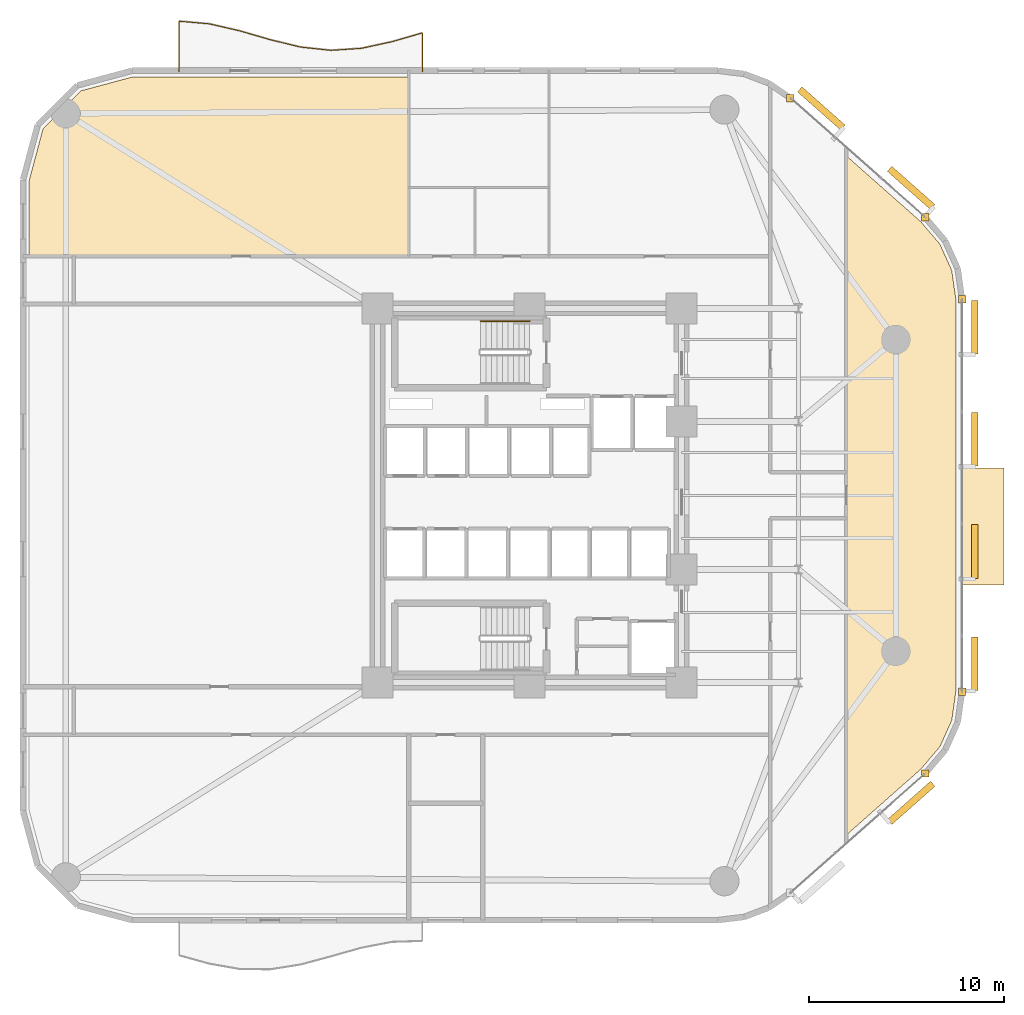
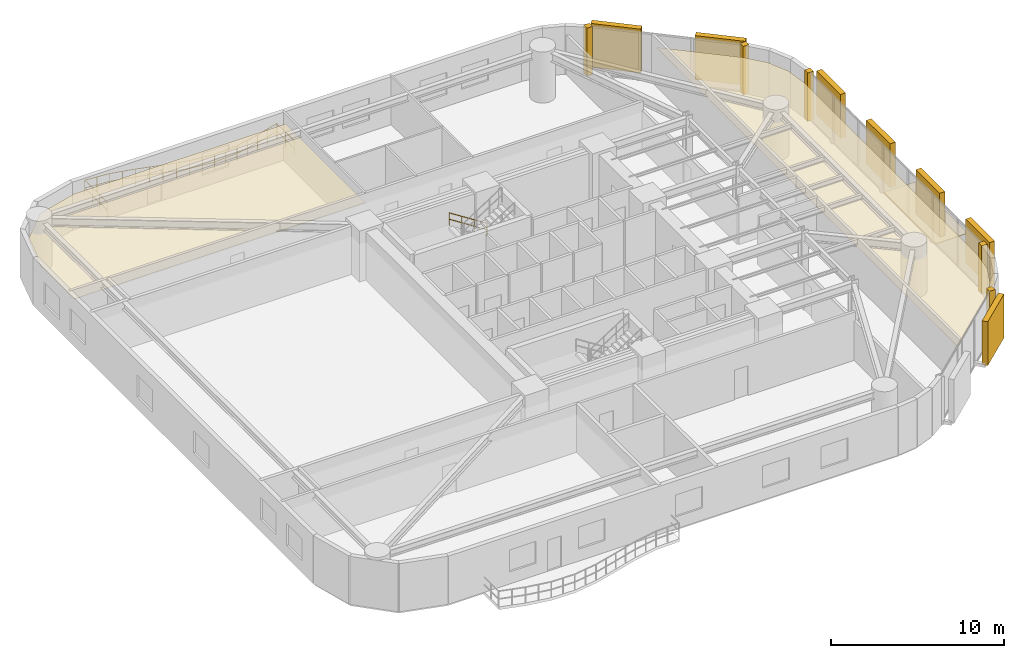
# One storey, part 15 of 15: 8 coverings, 7 shading devices, 2 railings.
"""IFC4 building model written with IfcOpenShell, lengths in metres."""

from ifc_helpers import new_model, si_unit, direction, frame, origin, origin_2d, place, context, subcontext, project, spatial, polyline, rectangle, circle, outline, extrude, material, layer, layer_set, type_object, element, save


model = new_model("IFC4")

# Units and contexts
model_context = context("Model", 3, precision=1e-05, world=origin(), true_north=direction((0.0, 1.0)))
body_context = subcontext(model_context, "Body", "Model", "MODEL_VIEW")
ifc_project = project(units=[si_unit("LENGTHUNIT", "METRE"), si_unit("AREAUNIT", "SQUARE_METRE"), si_unit("VOLUMEUNIT", "CUBIC_METRE"), si_unit("PLANEANGLEUNIT", "RADIAN"), si_unit("MASSUNIT", "GRAM", prefix="KILO")], contexts=[model_context])

# Site, building, storey
site_placement = place(None, origin())
site = spatial("IfcSite", under=ifc_project, at=site_placement, CompositionType="ELEMENT")
building_placement = place(site_placement, origin())
building = spatial("IfcBuilding", under=site, at=building_placement, Name="An Khanh Terracotta Commons", CompositionType="ELEMENT")
storey_placement = place(building_placement, frame((0.0, 0.0, 61.199951171875)))
storey = spatial("IfcBuildingStorey", under=building, at=storey_placement, Name="L16", CompositionType="ELEMENT", Elevation=61.199951171875)

# Coverings
ifc_material_1 = material(Name="Perforated Mineral-Fibre Acoustic Tile")
ifc_layer_1 = layer(ifc_material_1, 0.02001953125, Name="Perforated Mineral-Fibre Acoustic Tile")
ifc_layer_set_1 = layer_set([ifc_layer_1], Name="Perforated Mineral-Fibre Acoustic Tile")
covering_type_1 = type_object("IfcCoveringType", Name="CEIL-ACOUSTIC-18", PredefinedType="CEILING", material=ifc_layer_set_1)
covering_1_placement = place(storey_placement, frame((0.0, 0.0, 2.650146484375)))
element("IfcCovering", 1, at=covering_1_placement, inside=storey, type_object=covering_type_1, Name="L16 Riverfront Reference Library Ceiling", PredefinedType="CEILING", context=body_context, shape_type="SweptSolid", body=[
    extrude(outline(polyline([(49.48095703125, 38.047119140625), (50.458984375, 36.89892578125), (51.069091796875, 35.547119140625), (51.280029296875, 34.053955078125), (51.280029296875, 13.946044921875), (51.069091796875, 12.452880859375), (50.458984375, 11.10107421875), (49.48095703125, 9.952880859375), (45.64990234375, 6.56396484375), (45.64990234375, 22.820068359375), (45.64990234375, 25.179931640625), (45.64990234375, 41.43603515625), (49.48095703125, 38.047119140625)])), origin(), (0.0, 0.0, 1.0), 0.02001953125),
])
covering_2_placement = place(storey_placement, frame((0.0, 0.0, 2.650146484375)))
element("IfcCovering", 2, at=covering_2_placement, inside=storey, type_object=covering_type_1, Name="L16 Student Reading Library Ceiling", PredefinedType="CEILING", context=body_context, shape_type="SweptSolid", body=[
    extrude(outline(polyline([(9.0419921875, 45.47998046875), (23.199951171875, 45.47998046875), (23.199951171875, 39.800048828125), (23.199951171875, 36.280029296875), (6.0, 36.280029296875), (3.719970703125, 36.280029296875), (3.719970703125, 40.157958984375), (4.43701171875, 42.833984375), (6.365966796875, 44.762939453125), (9.0419921875, 45.47998046875)])), origin(), (0.0, 0.0, 1.0), 0.02001953125),
])
ifc_material_2 = material(Name="Fired Terracotta Rainscreen Cladding", Category="masonry")
ifc_layer_2 = layer(ifc_material_2, 0.080078125, Name="Fired Terracotta Rainscreen Cladding")
ifc_layer_set_2 = layer_set([ifc_layer_2], Name="Fired Terracotta Rainscreen Cladding")
covering_type_2 = type_object("IfcCoveringType", Name="COV-JAMB-TERRA", PredefinedType="CLADDING", material=ifc_layer_set_2)
for number, where, z_axis, x_axis, name in (
    (3, (49.7099609375, 9.72802734375, 0.0), (0.0, 0.0, 1.0), (1.0, 0.0, 0.0), "L16 CW-02 Curtain-Wall Jamb Closure JB"),
    (4, (51.60009765625, 13.923095703125, 0.0), (0.0, 0.0, 1.0), (1.0, 0.0, 0.0), "L16 CW-02 Curtain-Wall Jamb Closure JA"),
    (5, (51.60009765625, 34.076904296875, 0.0), (0.0, 0.0, 1.0), (1.0, 0.0, 0.0), "L16 CW-02 Curtain-Wall Jamb Closure JB"),
    (6, (49.7099609375, 38.27197265625, 0.0), (0.0, 0.0, 1.0), (1.0, 0.0, 0.0), "L16 CW-02 Curtain-Wall Jamb Closure JA"),
    (7, (42.7890625, 44.39404296875, 0.0), (0.0, 0.0, 1.0), (1.0, 0.0, 0.0), "L16 CW-02 Curtain-Wall Jamb Closure JB"),
):
    element("IfcCovering", number, at=place(storey_placement, frame(where, z_axis=z_axis, x_axis=x_axis)), inside=storey, type_object=covering_type_2, Name=name, PredefinedType="CLADDING", context=body_context, shape_type="SweptSolid", body=[
        extrude(rectangle(XDim=0.3798828125, YDim=0.3798828125, at=origin_2d()), origin(), (0.0, 0.0, 1.0), 3.39990234375),
    ])
ifc_material_3 = material(Name="Planted Garden Waterproofing Membrane")
ifc_layer_3 = layer(ifc_material_3, 0.080078125, Name="Planted Garden Waterproofing Membrane")
ifc_layer_set_3 = layer_set([ifc_layer_3], Name="Planted Garden Waterproofing Membrane")
covering_type_3 = type_object("IfcCoveringType", Name="COV-ROOFING-GREEN", PredefinedType="ROOFING", material=ifc_layer_set_3)
covering_3_placement = place(storey_placement, origin())
element("IfcCovering", 8, at=covering_3_placement, inside=storey, type_object=covering_type_3, Name="L16 Shifted Box Roof Waterproofing (L15)", PredefinedType="ROOFING", context=body_context, shape_type="SweptSolid", body=[
    extrude(outline(polyline([(51.60009765625, 19.39990234375), (53.75, 19.39990234375), (53.75, 25.39990234375), (51.60009765625, 25.39990234375), (51.60009765625, 19.39990234375)])), origin(), (0.0, 0.0, 1.0), 0.06005859375),
])

# Railings
ifc_material_4 = material(Name="Brushed Stainless Steel 316", Category="steel")
railing_type_1 = type_object("IfcRailingType", Name="RAIL-BALUSTRADE-1100", PredefinedType="BALUSTRADE", material=ifc_material_4)
railing_1_placement = place(storey_placement, frame((23.89990234375, 45.739990234375, 0.0)))
element("IfcRailing", 9, at=railing_1_placement, inside=storey, type_object=railing_type_1, Name="L16 N Wave Balcony Guard Balustrade", PredefinedType="BALUSTRADE", context=body_context, shape_type="SweptSolid", body=[
    extrude(circle(Radius=0.02392578125, at=origin_2d()), frame((0.0, 0.0, 1.076171875), z_axis=(0.0, 1.0, 0.0), x_axis=(-1.0, 0.0, 0.0)), (0.0, 0.0, 1.0), 1.99609375),
    extrude(circle(Radius=0.02392578125, at=origin_2d()), frame((0.0, 0.0, 0.52587890625), z_axis=(0.0, 1.0, 0.0), x_axis=(-1.0, 0.0, 0.0)), (0.0, 0.0, 1.0), 1.99609375),
    extrude(circle(Radius=0.02392578125, at=origin_2d()), frame((0.0, 1.99609375, 1.076171875), z_axis=(-0.960932670133, -0.276782231135, 0.0), x_axis=(0.276782231135, -0.960932670133, 0.0)), (0.0, 0.0, 1.0), 1.62646484375),
    extrude(circle(Radius=0.02392578125, at=origin_2d()), frame((0.0, 1.99609375, 0.52587890625), z_axis=(-0.960932670133, -0.276782231135, 0.0), x_axis=(0.276782231135, -0.960932670133, 0.0)), (0.0, 0.0, 1.0), 1.62646484375),
    extrude(circle(Radius=0.02392578125, at=origin_2d()), frame((-1.56298828125, 1.5458984375, 1.076171875), z_axis=(-0.977267260023, -0.212011090483, 0.0), x_axis=(0.212011090483, -0.977267260023, 0.0)), (0.0, 0.0, 1.0), 1.598388671875),
    extrude(circle(Radius=0.02392578125, at=origin_2d()), frame((-1.56298828125, 1.5458984375, 0.52587890625), z_axis=(-0.977267260023, -0.212011090483, 0.0), x_axis=(0.212011090483, -0.977267260023, 0.0)), (0.0, 0.0, 1.0), 1.598388671875),
    extrude(circle(Radius=0.02392578125, at=origin_2d()), frame((-3.125, 1.20703125, 1.076171875), z_axis=(-0.997751933428, -0.067015515679, 0.0), x_axis=(0.067015515679, -0.997751933428, 0.0)), (0.0, 0.0, 1.0), 1.56640625),
    extrude(circle(Radius=0.02392578125, at=origin_2d()), frame((-3.125, 1.20703125, 0.52587890625), z_axis=(-0.997751933428, -0.067015515679, 0.0), x_axis=(0.067015515679, -0.997751933428, 0.0)), (0.0, 0.0, 1.0), 1.56640625),
    extrude(circle(Radius=0.02392578125, at=origin_2d()), frame((-4.68798828125, 1.10205078125, 1.076171875), z_axis=(-0.994267926372, 0.106917213714, 0.0), x_axis=(-0.106917213714, -0.994267926372, 0.0)), (0.0, 0.0, 1.0), 1.571044921875),
    extrude(circle(Radius=0.02392578125, at=origin_2d()), frame((-4.68798828125, 1.10205078125, 0.52587890625), z_axis=(-0.994267926372, 0.106917213714, 0.0), x_axis=(-0.106917213714, -0.994267926372, 0.0)), (0.0, 0.0, 1.0), 1.571044921875),
    extrude(circle(Radius=0.02392578125, at=origin_2d()), frame((-6.25, 1.27001953125, 1.076171875), z_axis=(-0.971710923321, 0.23617341404, 0.0), x_axis=(-0.23617341404, -0.971710923321, 0.0)), (0.0, 0.0, 1.0), 1.6083984375),
    extrude(circle(Radius=0.02392578125, at=origin_2d()), frame((-6.25, 1.27001953125, 0.52587890625), z_axis=(-0.971710923321, 0.23617341404, 0.0), x_axis=(-0.23617341404, -0.971710923321, 0.0)), (0.0, 0.0, 1.0), 1.6083984375),
    extrude(circle(Radius=0.02392578125, at=origin_2d()), frame((-7.81298828125, 1.64990234375, 1.076171875), z_axis=(-0.960405845543, 0.278604759195, 0.0), x_axis=(-0.278604759195, -0.960405845543, 0.0)), (0.0, 0.0, 1.0), 1.62646484375),
    extrude(circle(Radius=0.02392578125, at=origin_2d()), frame((-7.81298828125, 1.64990234375, 0.52587890625), z_axis=(-0.960405845543, 0.278604759195, 0.0), x_axis=(-0.278604759195, -0.960405845543, 0.0)), (0.0, 0.0, 1.0), 1.62646484375),
    extrude(circle(Radius=0.02392578125, at=origin_2d()), frame((-9.375, 2.10302734375, 1.076171875), z_axis=(-0.974473274881, 0.224503533475, 0.0), x_axis=(-0.224503533475, -0.974473274881, 0.0)), (0.0, 0.0, 1.0), 1.60302734375),
    extrude(circle(Radius=0.02392578125, at=origin_2d()), frame((-9.375, 2.10302734375, 0.52587890625), z_axis=(-0.974473274881, 0.224503533475, 0.0), x_axis=(-0.224503533475, -0.974473274881, 0.0)), (0.0, 0.0, 1.0), 1.60302734375),
    extrude(circle(Radius=0.02392578125, at=origin_2d()), frame((-10.93701171875, 2.462890625, 1.076171875), z_axis=(-0.99616901861, 0.087448764208, 0.0), x_axis=(-0.087448764208, -0.99616901861, 0.0)), (0.0, 0.0, 1.0), 1.569091796875),
    extrude(circle(Radius=0.02392578125, at=origin_2d()), frame((-10.93701171875, 2.462890625, 0.52587890625), z_axis=(-0.99616901861, 0.087448764208, 0.0), x_axis=(-0.087448764208, -0.99616901861, 0.0)), (0.0, 0.0, 1.0), 1.569091796875),
    extrude(circle(Radius=0.02392578125, at=origin_2d()), frame((-12.5, 2.60009765625, 1.076171875), z_axis=(0.0, -1.0, 0.0), x_axis=(1.0, 0.0, 0.0)), (0.0, 0.0, 1.0), 2.60009765625),
    extrude(circle(Radius=0.02392578125, at=origin_2d()), frame((-12.5, 2.60009765625, 0.52587890625), z_axis=(0.0, -1.0, 0.0), x_axis=(1.0, 0.0, 0.0)), (0.0, 0.0, 1.0), 2.60009765625),
    extrude(circle(Radius=0.02099609375, at=origin_2d()), origin(), (0.0, 0.0, 1.0), 1.052001953125),
    extrude(circle(Radius=0.02099609375, at=origin_2d()), frame((0.0, 0.998046875, 0.0)), (0.0, 0.0, 1.0), 1.052001953125),
    extrude(circle(Radius=0.02099609375, at=origin_2d()), frame((0.0, 1.99609375, 0.0)), (0.0, 0.0, 1.0), 1.052001953125),
    extrude(circle(Radius=0.02099609375, at=origin_2d()), frame((-0.781494140625, 1.77099609375, 0.0)), (0.0, 0.0, 1.0), 1.052001953125),
    extrude(circle(Radius=0.02099609375, at=origin_2d()), frame((-1.56298828125, 1.5458984375, 0.0)), (0.0, 0.0, 1.0), 1.052001953125),
    extrude(circle(Radius=0.02099609375, at=origin_2d()), frame((-2.343994140625, 1.37646484375, 0.0)), (0.0, 0.0, 1.0), 1.052001953125),
    extrude(circle(Radius=0.02099609375, at=origin_2d()), frame((-3.125, 1.20703125, 0.0)), (0.0, 0.0, 1.0), 1.052001953125),
    extrude(circle(Radius=0.02099609375, at=origin_2d()), frame((-3.906494140625, 1.154541015625, 0.0)), (0.0, 0.0, 1.0), 1.052001953125),
    extrude(circle(Radius=0.02099609375, at=origin_2d()), frame((-4.68798828125, 1.10205078125, 0.0)), (0.0, 0.0, 1.0), 1.052001953125),
    extrude(circle(Radius=0.02099609375, at=origin_2d()), frame((-5.468994140625, 1.18603515625, 0.0)), (0.0, 0.0, 1.0), 1.052001953125),
    extrude(circle(Radius=0.02099609375, at=origin_2d()), frame((-6.25, 1.27001953125, 0.0)), (0.0, 0.0, 1.0), 1.052001953125),
    extrude(circle(Radius=0.02099609375, at=origin_2d()), frame((-7.031494140625, 1.4599609375, 0.0)), (0.0, 0.0, 1.0), 1.052001953125),
    extrude(circle(Radius=0.02099609375, at=origin_2d()), frame((-7.81298828125, 1.64990234375, 0.0)), (0.0, 0.0, 1.0), 1.052001953125),
    extrude(circle(Radius=0.02099609375, at=origin_2d()), frame((-8.593994140625, 1.87646484375, 0.0)), (0.0, 0.0, 1.0), 1.052001953125),
    extrude(circle(Radius=0.02099609375, at=origin_2d()), frame((-9.375, 2.10302734375, 0.0)), (0.0, 0.0, 1.0), 1.052001953125),
    extrude(circle(Radius=0.02099609375, at=origin_2d()), frame((-10.156005859375, 2.282958984375, 0.0)), (0.0, 0.0, 1.0), 1.052001953125),
    extrude(circle(Radius=0.02099609375, at=origin_2d()), frame((-10.93701171875, 2.462890625, 0.0)), (0.0, 0.0, 1.0), 1.052001953125),
    extrude(circle(Radius=0.02099609375, at=origin_2d()), frame((-11.718505859375, 2.531494140625, 0.0)), (0.0, 0.0, 1.0), 1.052001953125),
    extrude(circle(Radius=0.02099609375, at=origin_2d()), frame((-12.5, 2.60009765625, 0.0)), (0.0, 0.0, 1.0), 1.052001953125),
    extrude(circle(Radius=0.02099609375, at=origin_2d()), frame((-12.5, 1.7333984375, 0.0)), (0.0, 0.0, 1.0), 1.052001953125),
    extrude(circle(Radius=0.02099609375, at=origin_2d()), frame((-12.5, 0.86669921875, 0.0)), (0.0, 0.0, 1.0), 1.052001953125),
    extrude(circle(Radius=0.02099609375, at=origin_2d()), frame((-12.5, 0.0, 0.0)), (0.0, 0.0, 1.0), 1.052001953125),
])
railing_type_2 = type_object("IfcRailingType", Name="RAIL-HANDRAIL-900", PredefinedType="HANDRAIL", material=ifc_material_4)
railing_2_placement = place(storey_placement, frame((29.409912109375, 32.949951171875, 0.179931640625)))
element("IfcRailing", 10, at=railing_2_placement, inside=storey, type_object=railing_type_2, Name="L16 ST-01 stair handrail 1", PredefinedType="HANDRAIL", context=body_context, shape_type="SweptSolid", body=[
    extrude(circle(Radius=0.02392578125, at=origin_2d()), frame((0.0, 0.0, 0.8759765625), z_axis=(-0.841162588446, 0.0, 0.540782303519), x_axis=(0.0, -1.0, 0.0)), (0.0, 0.0, 1.0), 2.995849609375),
    extrude(circle(Radius=0.02392578125, at=origin_2d()), frame((0.0, 0.0, 0.42578125), z_axis=(-0.841162588446, 0.0, 0.540782303519), x_axis=(0.0, -1.0, 0.0)), (0.0, 0.0, 1.0), 2.995849609375),
    extrude(circle(Radius=0.02099609375, at=origin_2d()), origin(), (0.0, 0.0, 1.0), 0.851806640625),
    extrude(circle(Radius=0.02099609375, at=origin_2d()), frame((-0.840087890625, 0.0, 0.5400390625)), (0.0, 0.0, 1.0), 0.851806640625),
    extrude(circle(Radius=0.02099609375, at=origin_2d()), frame((-1.679931640625, 0.0, 1.080078125)), (0.0, 0.0, 1.0), 0.851806640625),
    extrude(circle(Radius=0.02099609375, at=origin_2d()), frame((-2.52001953125, 0.0, 1.6201171875)), (0.0, 0.0, 1.0), 0.851806640625),
])

# Shading devices
ifc_material_5 = material(Name="Extruded Fired Terracotta", Category="masonry")
shading_device_type = type_object("IfcShadingDeviceType", Name="Terracotta Baguette Screen Assembly", PredefinedType="USERDEFINED", material=ifc_material_5)
shading_device_placement = place(storey_placement, frame((48.987060546875, 8.220947265625, 0.14990234375), z_axis=(0.0, 0.0, 1.0), x_axis=(0.749019284633, 0.662548195415, 0.0)))
element("IfcShadingDevice", 11, at=shading_device_placement, inside=storey, type_object=shading_device_type, Name="L16 Terracotta Baguette Screen 3", ObjectType="BAGUETTE", PredefinedType="USERDEFINED", context=body_context, shape_type="SweptSolid", body=[
    extrude(rectangle(XDim=2.9599609375, YDim=0.35009765625, at=origin_2d()), origin(), (0.0, 0.0, 1.0), 3.10009765625),
])
for number, where, z_axis, x_axis, name in (
    (12, (52.25, 15.363037109375, 0.14990234375), (0.0, 0.0, 1.0), (0.0, 1.0, 0.0), "L16 Terracotta Baguette Screen 1"),
    (13, (52.25, 21.12109375, 0.14990234375), (0.0, 0.0, 1.0), (0.0, 1.0, 0.0), "L16 Terracotta Baguette Screen 3"),
    (14, (52.25, 26.87890625, 0.14990234375), (0.0, 0.0, 1.0), (0.0, 1.0, 0.0), "L16 Terracotta Baguette Screen 5"),
    (15, (52.25, 32.636962890625, 0.14990234375), (0.0, 0.0, 1.0), (0.0, 1.0, 0.0), "L16 Terracotta Baguette Screen 7"),
):
    element("IfcShadingDevice", number, at=place(storey_placement, frame(where, z_axis=z_axis, x_axis=x_axis)), inside=storey, type_object=shading_device_type, Name=name, ObjectType="BAGUETTE", PredefinedType="USERDEFINED", context=body_context, shape_type="SweptSolid", body=[
        extrude(rectangle(XDim=2.759033203125, YDim=0.35009765625, at=origin_2d()), origin(), (0.0, 0.0, 1.0), 3.10009765625),
    ])
for number, where, z_axis, x_axis, name in (
    (16, (48.987060546875, 39.779052734375, 0.14990234375), (0.0, 0.0, 1.0), (-0.749019284633, 0.662548195415, 0.0), "L16 Terracotta Baguette Screen 1"),
    (17, (44.373046875, 43.861083984375, 0.14990234375), (0.0, 0.0, 1.0), (-0.749019284633, 0.662548195415, 0.0), "L16 Terracotta Baguette Screen 3"),
):
    element("IfcShadingDevice", number, at=place(storey_placement, frame(where, z_axis=z_axis, x_axis=x_axis)), inside=storey, type_object=shading_device_type, Name=name, ObjectType="BAGUETTE", PredefinedType="USERDEFINED", context=body_context, shape_type="SweptSolid", body=[
        extrude(rectangle(XDim=2.9599609375, YDim=0.35009765625, at=origin_2d()), origin(), (0.0, 0.0, 1.0), 3.10009765625),
    ])

save(model, "model.ifc")
